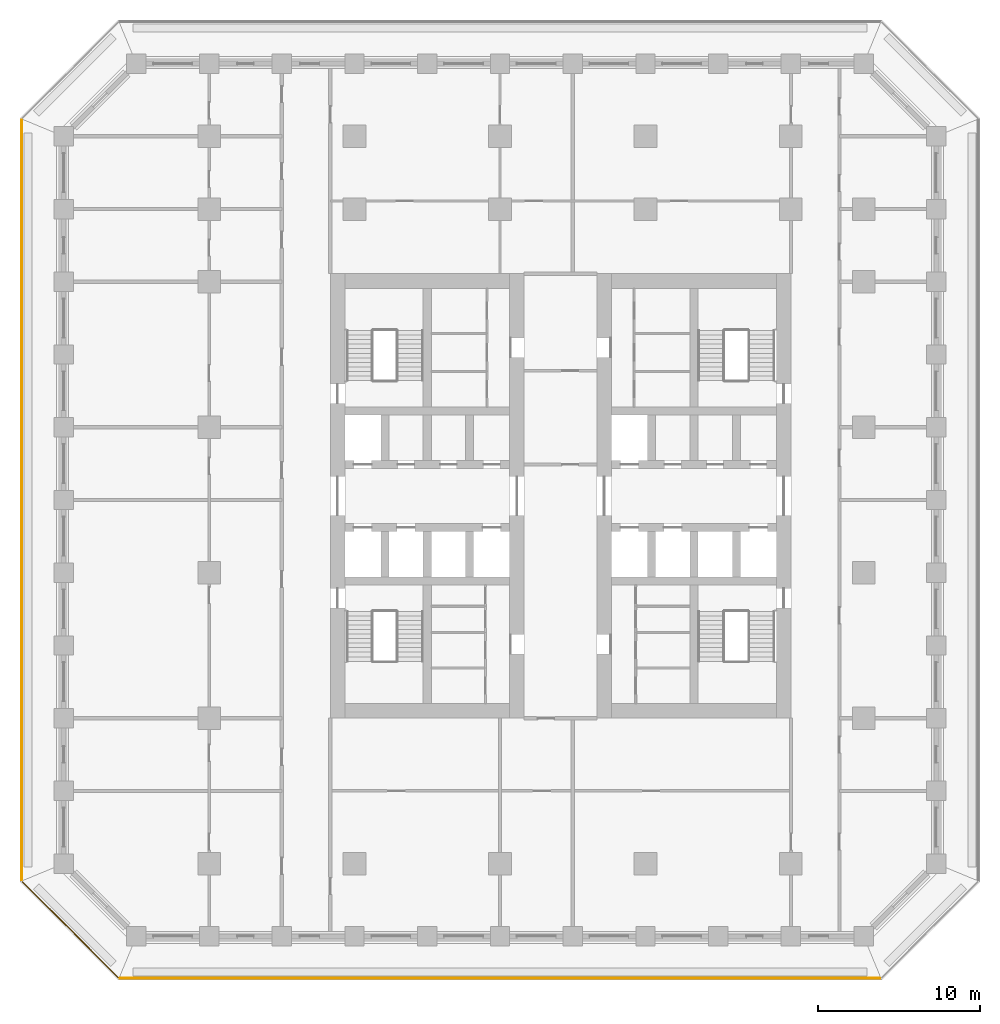
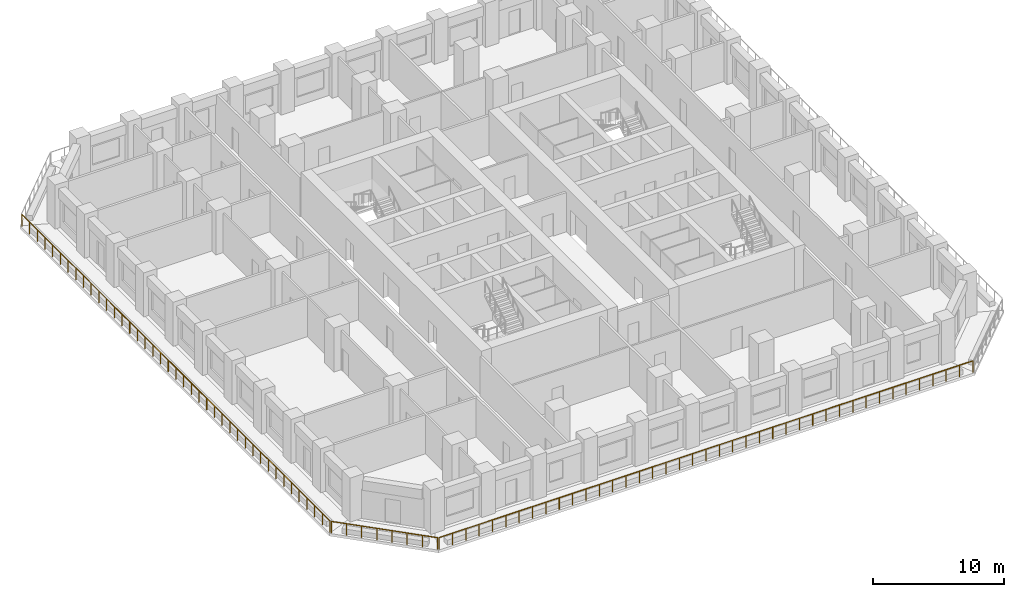
# One storey, part 10 of 17: 3 railings.
"""IFC4 building model written with IfcOpenShell, lengths in metres."""

from ifc_helpers import new_model, si_unit, direction, frame, origin, origin_2d, place, context, subcontext, project, spatial, circle, extrude, material, type_object, element, save


model = new_model("IFC4")

# Units and contexts
model_context = context("Model", 3, precision=1e-05, world=origin(), true_north=direction((0.0, 1.0)))
body_context = subcontext(model_context, "Body", "Model", "MODEL_VIEW")
ifc_project = project(units=[si_unit("LENGTHUNIT", "METRE"), si_unit("AREAUNIT", "SQUARE_METRE"), si_unit("VOLUMEUNIT", "CUBIC_METRE"), si_unit("PLANEANGLEUNIT", "RADIAN"), si_unit("MASSUNIT", "GRAM", prefix="KILO")], contexts=[model_context])

# Site, building, storey
site_placement = place(None, origin())
site = spatial("IfcSite", under=ifc_project, at=site_placement, CompositionType="ELEMENT")
building_placement = place(site_placement, origin())
building = spatial("IfcBuilding", under=site, at=building_placement, Name="Corbel Stack Research Tower", CompositionType="ELEMENT")
storey_placement = place(building_placement, frame((0.0, 0.0, 129.0)))
storey = spatial("IfcBuildingStorey", under=building, at=storey_placement, Name="L29", CompositionType="ELEMENT", Elevation=129.0)

# Railings
ifc_material = material(Name="Powder-coated steel guard", Category="steel")
railing_type = type_object("IfcRailingType", Name="Steel and glass guard 1100", PredefinedType="GUARDRAIL", material=ifc_material)
railing_1_placement = place(storey_placement, frame((-23.50537109375, -25.10009765625, 0.0)))
element("IfcRailing", 1, at=railing_1_placement, inside=storey, type_object=railing_type, Name="Loggia guard L29 S", PredefinedType="GUARDRAIL", context=body_context, shape_type="SweptSolid", body=[
    extrude(circle(Radius=0.02392578125, at=origin_2d()), frame((0.0, 0.0, 1.076171875), z_axis=(1.0, 0.0, 0.0), x_axis=(0.0, 1.0, 0.0)), (0.0, 0.0, 1.0), 47.0107421875),
    extrude(circle(Radius=0.02099609375, at=origin_2d()), origin(), (0.0, 0.0, 1.0), 1.052001953125),
    extrude(circle(Radius=0.02099609375, at=origin_2d()), frame((1.17529296875, 0.0, 0.0)), (0.0, 0.0, 1.0), 1.052001953125),
    extrude(circle(Radius=0.02099609375, at=origin_2d()), frame((2.3505859375, 0.0, 0.0)), (0.0, 0.0, 1.0), 1.052001953125),
    extrude(circle(Radius=0.02099609375, at=origin_2d()), frame((3.52587890625, 0.0, 0.0)), (0.0, 0.0, 1.0), 1.052001953125),
    extrude(circle(Radius=0.02099609375, at=origin_2d()), frame((4.701171875, 0.0, 0.0)), (0.0, 0.0, 1.0), 1.052001953125),
    extrude(circle(Radius=0.02099609375, at=origin_2d()), frame((5.87646484375, 0.0, 0.0)), (0.0, 0.0, 1.0), 1.052001953125),
    extrude(circle(Radius=0.02099609375, at=origin_2d()), frame((7.051513671875, 0.0, 0.0)), (0.0, 0.0, 1.0), 1.052001953125),
    extrude(circle(Radius=0.02099609375, at=origin_2d()), frame((8.226806640625, 0.0, 0.0)), (0.0, 0.0, 1.0), 1.052001953125),
    extrude(circle(Radius=0.02099609375, at=origin_2d()), frame((9.402099609375, 0.0, 0.0)), (0.0, 0.0, 1.0), 1.052001953125),
    extrude(circle(Radius=0.02099609375, at=origin_2d()), frame((10.577392578125, 0.0, 0.0)), (0.0, 0.0, 1.0), 1.052001953125),
    extrude(circle(Radius=0.02099609375, at=origin_2d()), frame((11.752685546875, 0.0, 0.0)), (0.0, 0.0, 1.0), 1.052001953125),
    extrude(circle(Radius=0.02099609375, at=origin_2d()), frame((12.927978515625, 0.0, 0.0)), (0.0, 0.0, 1.0), 1.052001953125),
    extrude(circle(Radius=0.02099609375, at=origin_2d()), frame((14.103271484375, 0.0, 0.0)), (0.0, 0.0, 1.0), 1.052001953125),
    extrude(circle(Radius=0.02099609375, at=origin_2d()), frame((15.278564453125, 0.0, 0.0)), (0.0, 0.0, 1.0), 1.052001953125),
    extrude(circle(Radius=0.02099609375, at=origin_2d()), frame((16.453857421875, 0.0, 0.0)), (0.0, 0.0, 1.0), 1.052001953125),
    extrude(circle(Radius=0.02099609375, at=origin_2d()), frame((17.62890625, 0.0, 0.0)), (0.0, 0.0, 1.0), 1.052001953125),
    extrude(circle(Radius=0.02099609375, at=origin_2d()), frame((18.80419921875, 0.0, 0.0)), (0.0, 0.0, 1.0), 1.052001953125),
    extrude(circle(Radius=0.02099609375, at=origin_2d()), frame((19.9794921875, 0.0, 0.0)), (0.0, 0.0, 1.0), 1.052001953125),
    extrude(circle(Radius=0.02099609375, at=origin_2d()), frame((21.15478515625, 0.0, 0.0)), (0.0, 0.0, 1.0), 1.052001953125),
    extrude(circle(Radius=0.02099609375, at=origin_2d()), frame((22.330078125, 0.0, 0.0)), (0.0, 0.0, 1.0), 1.052001953125),
    extrude(circle(Radius=0.02099609375, at=origin_2d()), frame((23.50537109375, 0.0, 0.0)), (0.0, 0.0, 1.0), 1.052001953125),
    extrude(circle(Radius=0.02099609375, at=origin_2d()), frame((24.6806640625, 0.0, 0.0)), (0.0, 0.0, 1.0), 1.052001953125),
    extrude(circle(Radius=0.02099609375, at=origin_2d()), frame((25.85595703125, 0.0, 0.0)), (0.0, 0.0, 1.0), 1.052001953125),
    extrude(circle(Radius=0.02099609375, at=origin_2d()), frame((27.03125, 0.0, 0.0)), (0.0, 0.0, 1.0), 1.052001953125),
    extrude(circle(Radius=0.02099609375, at=origin_2d()), frame((28.20654296875, 0.0, 0.0)), (0.0, 0.0, 1.0), 1.052001953125),
    extrude(circle(Radius=0.02099609375, at=origin_2d()), frame((29.3818359375, 0.0, 0.0)), (0.0, 0.0, 1.0), 1.052001953125),
    extrude(circle(Radius=0.02099609375, at=origin_2d()), frame((30.556884765625, 0.0, 0.0)), (0.0, 0.0, 1.0), 1.052001953125),
    extrude(circle(Radius=0.02099609375, at=origin_2d()), frame((31.732177734375, 0.0, 0.0)), (0.0, 0.0, 1.0), 1.052001953125),
    extrude(circle(Radius=0.02099609375, at=origin_2d()), frame((32.907470703125, 0.0, 0.0)), (0.0, 0.0, 1.0), 1.052001953125),
    extrude(circle(Radius=0.02099609375, at=origin_2d()), frame((34.082763671875, 0.0, 0.0)), (0.0, 0.0, 1.0), 1.052001953125),
    extrude(circle(Radius=0.02099609375, at=origin_2d()), frame((35.258056640625, 0.0, 0.0)), (0.0, 0.0, 1.0), 1.052001953125),
    extrude(circle(Radius=0.02099609375, at=origin_2d()), frame((36.433349609375, 0.0, 0.0)), (0.0, 0.0, 1.0), 1.052001953125),
    extrude(circle(Radius=0.02099609375, at=origin_2d()), frame((37.608642578125, 0.0, 0.0)), (0.0, 0.0, 1.0), 1.052001953125),
    extrude(circle(Radius=0.02099609375, at=origin_2d()), frame((38.783935546875, 0.0, 0.0)), (0.0, 0.0, 1.0), 1.052001953125),
    extrude(circle(Radius=0.02099609375, at=origin_2d()), frame((39.959228515625, 0.0, 0.0)), (0.0, 0.0, 1.0), 1.052001953125),
    extrude(circle(Radius=0.02099609375, at=origin_2d()), frame((41.13427734375, 0.0, 0.0)), (0.0, 0.0, 1.0), 1.052001953125),
    extrude(circle(Radius=0.02099609375, at=origin_2d()), frame((42.3095703125, 0.0, 0.0)), (0.0, 0.0, 1.0), 1.052001953125),
    extrude(circle(Radius=0.02099609375, at=origin_2d()), frame((43.48486328125, 0.0, 0.0)), (0.0, 0.0, 1.0), 1.052001953125),
    extrude(circle(Radius=0.02099609375, at=origin_2d()), frame((44.66015625, 0.0, 0.0)), (0.0, 0.0, 1.0), 1.052001953125),
    extrude(circle(Radius=0.02099609375, at=origin_2d()), frame((45.83544921875, 0.0, 0.0)), (0.0, 0.0, 1.0), 1.052001953125),
    extrude(circle(Radius=0.02099609375, at=origin_2d()), frame((47.0107421875, 0.0, 0.0)), (0.0, 0.0, 1.0), 1.052001953125),
])
railing_2_placement = place(storey_placement, frame((-29.60009765625, 28.00537109375, 0.0)))
element("IfcRailing", 2, at=railing_2_placement, inside=storey, type_object=railing_type, Name="Loggia guard L29 W", PredefinedType="GUARDRAIL", context=body_context, shape_type="SweptSolid", body=[
    extrude(circle(Radius=0.02392578125, at=origin_2d()), frame((0.0, 0.0, 1.076171875), z_axis=(0.0, -1.0, 0.0), x_axis=(1.0, 0.0, 0.0)), (0.0, 0.0, 1.0), 47.0107421875),
    extrude(circle(Radius=0.02099609375, at=origin_2d()), origin(), (0.0, 0.0, 1.0), 1.052001953125),
    extrude(circle(Radius=0.02099609375, at=origin_2d()), frame((0.0, -1.17529296875, 0.0)), (0.0, 0.0, 1.0), 1.052001953125),
    extrude(circle(Radius=0.02099609375, at=origin_2d()), frame((0.0, -2.3505859375, 0.0)), (0.0, 0.0, 1.0), 1.052001953125),
    extrude(circle(Radius=0.02099609375, at=origin_2d()), frame((0.0, -3.52587890625, 0.0)), (0.0, 0.0, 1.0), 1.052001953125),
    extrude(circle(Radius=0.02099609375, at=origin_2d()), frame((0.0, -4.701171875, 0.0)), (0.0, 0.0, 1.0), 1.052001953125),
    extrude(circle(Radius=0.02099609375, at=origin_2d()), frame((0.0, -5.87646484375, 0.0)), (0.0, 0.0, 1.0), 1.052001953125),
    extrude(circle(Radius=0.02099609375, at=origin_2d()), frame((0.0, -7.051513671875, 0.0)), (0.0, 0.0, 1.0), 1.052001953125),
    extrude(circle(Radius=0.02099609375, at=origin_2d()), frame((0.0, -8.226806640625, 0.0)), (0.0, 0.0, 1.0), 1.052001953125),
    extrude(circle(Radius=0.02099609375, at=origin_2d()), frame((0.0, -9.402099609375, 0.0)), (0.0, 0.0, 1.0), 1.052001953125),
    extrude(circle(Radius=0.02099609375, at=origin_2d()), frame((0.0, -10.577392578125, 0.0)), (0.0, 0.0, 1.0), 1.052001953125),
    extrude(circle(Radius=0.02099609375, at=origin_2d()), frame((0.0, -11.752685546875, 0.0)), (0.0, 0.0, 1.0), 1.052001953125),
    extrude(circle(Radius=0.02099609375, at=origin_2d()), frame((0.0, -12.927978515625, 0.0)), (0.0, 0.0, 1.0), 1.052001953125),
    extrude(circle(Radius=0.02099609375, at=origin_2d()), frame((0.0, -14.103271484375, 0.0)), (0.0, 0.0, 1.0), 1.052001953125),
    extrude(circle(Radius=0.02099609375, at=origin_2d()), frame((0.0, -15.278564453125, 0.0)), (0.0, 0.0, 1.0), 1.052001953125),
    extrude(circle(Radius=0.02099609375, at=origin_2d()), frame((0.0, -16.453857421875, 0.0)), (0.0, 0.0, 1.0), 1.052001953125),
    extrude(circle(Radius=0.02099609375, at=origin_2d()), frame((0.0, -17.62890625, 0.0)), (0.0, 0.0, 1.0), 1.052001953125),
    extrude(circle(Radius=0.02099609375, at=origin_2d()), frame((0.0, -18.80419921875, 0.0)), (0.0, 0.0, 1.0), 1.052001953125),
    extrude(circle(Radius=0.02099609375, at=origin_2d()), frame((0.0, -19.9794921875, 0.0)), (0.0, 0.0, 1.0), 1.052001953125),
    extrude(circle(Radius=0.02099609375, at=origin_2d()), frame((0.0, -21.15478515625, 0.0)), (0.0, 0.0, 1.0), 1.052001953125),
    extrude(circle(Radius=0.02099609375, at=origin_2d()), frame((0.0, -22.330078125, 0.0)), (0.0, 0.0, 1.0), 1.052001953125),
    extrude(circle(Radius=0.02099609375, at=origin_2d()), frame((0.0, -23.50537109375, 0.0)), (0.0, 0.0, 1.0), 1.052001953125),
    extrude(circle(Radius=0.02099609375, at=origin_2d()), frame((0.0, -24.6806640625, 0.0)), (0.0, 0.0, 1.0), 1.052001953125),
    extrude(circle(Radius=0.02099609375, at=origin_2d()), frame((0.0, -25.85595703125, 0.0)), (0.0, 0.0, 1.0), 1.052001953125),
    extrude(circle(Radius=0.02099609375, at=origin_2d()), frame((0.0, -27.03125, 0.0)), (0.0, 0.0, 1.0), 1.052001953125),
    extrude(circle(Radius=0.02099609375, at=origin_2d()), frame((0.0, -28.20654296875, 0.0)), (0.0, 0.0, 1.0), 1.052001953125),
    extrude(circle(Radius=0.02099609375, at=origin_2d()), frame((0.0, -29.3818359375, 0.0)), (0.0, 0.0, 1.0), 1.052001953125),
    extrude(circle(Radius=0.02099609375, at=origin_2d()), frame((0.0, -30.556884765625, 0.0)), (0.0, 0.0, 1.0), 1.052001953125),
    extrude(circle(Radius=0.02099609375, at=origin_2d()), frame((0.0, -31.732177734375, 0.0)), (0.0, 0.0, 1.0), 1.052001953125),
    extrude(circle(Radius=0.02099609375, at=origin_2d()), frame((0.0, -32.907470703125, 0.0)), (0.0, 0.0, 1.0), 1.052001953125),
    extrude(circle(Radius=0.02099609375, at=origin_2d()), frame((0.0, -34.082763671875, 0.0)), (0.0, 0.0, 1.0), 1.052001953125),
    extrude(circle(Radius=0.02099609375, at=origin_2d()), frame((0.0, -35.258056640625, 0.0)), (0.0, 0.0, 1.0), 1.052001953125),
    extrude(circle(Radius=0.02099609375, at=origin_2d()), frame((0.0, -36.433349609375, 0.0)), (0.0, 0.0, 1.0), 1.052001953125),
    extrude(circle(Radius=0.02099609375, at=origin_2d()), frame((0.0, -37.608642578125, 0.0)), (0.0, 0.0, 1.0), 1.052001953125),
    extrude(circle(Radius=0.02099609375, at=origin_2d()), frame((0.0, -38.783935546875, 0.0)), (0.0, 0.0, 1.0), 1.052001953125),
    extrude(circle(Radius=0.02099609375, at=origin_2d()), frame((0.0, -39.959228515625, 0.0)), (0.0, 0.0, 1.0), 1.052001953125),
    extrude(circle(Radius=0.02099609375, at=origin_2d()), frame((0.0, -41.13427734375, 0.0)), (0.0, 0.0, 1.0), 1.052001953125),
    extrude(circle(Radius=0.02099609375, at=origin_2d()), frame((0.0, -42.3095703125, 0.0)), (0.0, 0.0, 1.0), 1.052001953125),
    extrude(circle(Radius=0.02099609375, at=origin_2d()), frame((0.0, -43.48486328125, 0.0)), (0.0, 0.0, 1.0), 1.052001953125),
    extrude(circle(Radius=0.02099609375, at=origin_2d()), frame((0.0, -44.66015625, 0.0)), (0.0, 0.0, 1.0), 1.052001953125),
    extrude(circle(Radius=0.02099609375, at=origin_2d()), frame((0.0, -45.83544921875, 0.0)), (0.0, 0.0, 1.0), 1.052001953125),
    extrude(circle(Radius=0.02099609375, at=origin_2d()), frame((0.0, -47.0107421875, 0.0)), (0.0, 0.0, 1.0), 1.052001953125),
])
railing_3_placement = place(storey_placement, frame((-29.54931640625, -19.127685546875, 0.0)))
element("IfcRailing", 3, at=railing_3_placement, inside=storey, type_object=railing_type, Name="Loggia guard L29 SW", PredefinedType="GUARDRAIL", context=body_context, shape_type="SweptSolid", body=[
    extrude(circle(Radius=0.02392578125, at=origin_2d()), frame((0.0, 0.0, 1.076171875), z_axis=(0.707106781187, -0.707106781187, 0.0), x_axis=(0.707106781187, 0.707106781187, 0.0)), (0.0, 0.0, 1.0), 8.37451171875),
    extrude(circle(Radius=0.02099609375, at=origin_2d()), origin(), (0.0, 0.0, 1.0), 1.052001953125),
    extrude(circle(Radius=0.02099609375, at=origin_2d()), frame((0.845947265625, -0.845947265625, 0.0)), (0.0, 0.0, 1.0), 1.052001953125),
    extrude(circle(Radius=0.02099609375, at=origin_2d()), frame((1.69189453125, -1.69189453125, 0.0)), (0.0, 0.0, 1.0), 1.052001953125),
    extrude(circle(Radius=0.02099609375, at=origin_2d()), frame((2.537841796875, -2.537841796875, 0.0)), (0.0, 0.0, 1.0), 1.052001953125),
    extrude(circle(Radius=0.02099609375, at=origin_2d()), frame((3.3837890625, -3.3837890625, 0.0)), (0.0, 0.0, 1.0), 1.052001953125),
    extrude(circle(Radius=0.02099609375, at=origin_2d()), frame((4.229736328125, -4.229736328125, 0.0)), (0.0, 0.0, 1.0), 1.052001953125),
    extrude(circle(Radius=0.02099609375, at=origin_2d()), frame((5.07568359375, -5.07568359375, 0.0)), (0.0, 0.0, 1.0), 1.052001953125),
    extrude(circle(Radius=0.02099609375, at=origin_2d()), frame((5.921630859375, -5.921630859375, 0.0)), (0.0, 0.0, 1.0), 1.052001953125),
])

save(model, "model.ifc")
